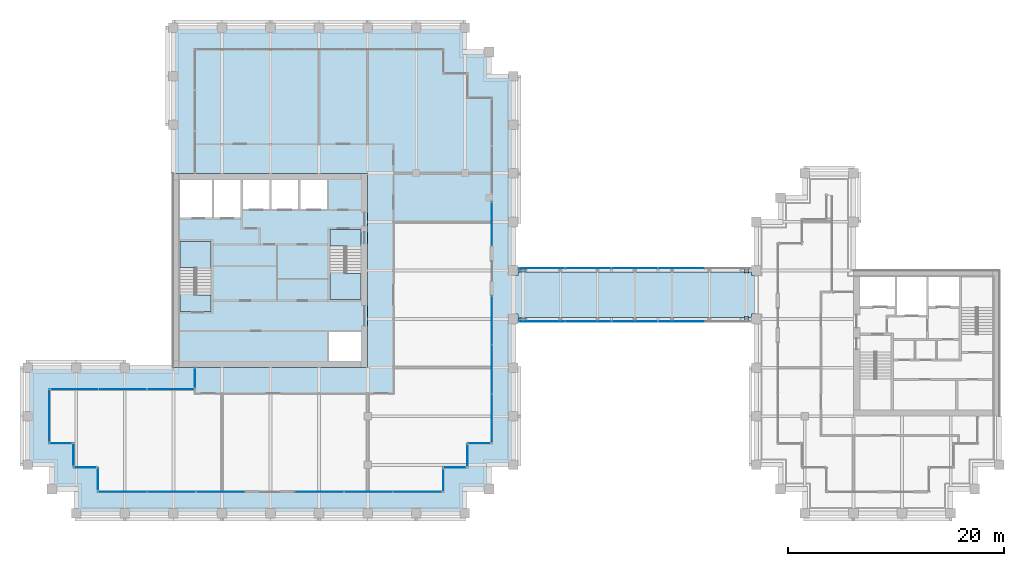
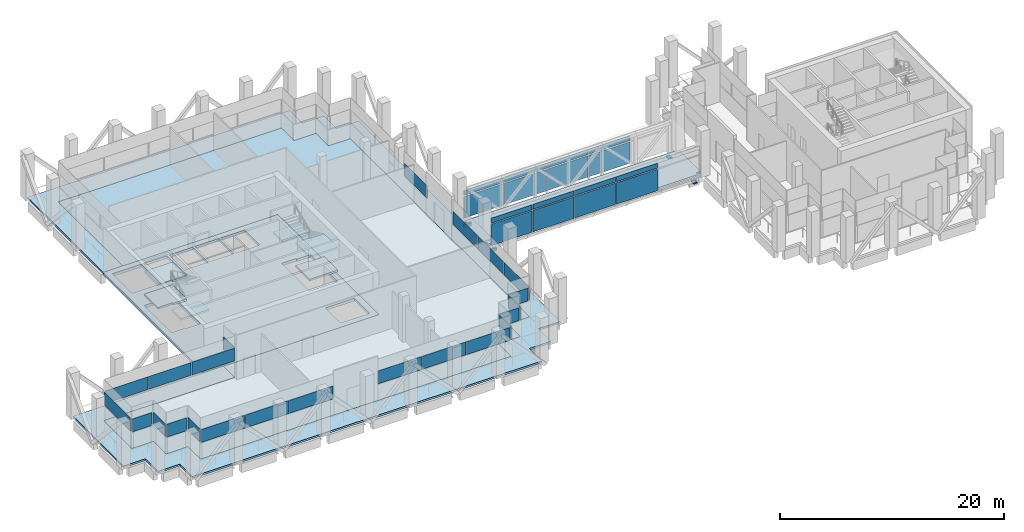
# One storey, part 26 of 34: 39 plates, 10 slabs, 2 beams, 2 members, 19 elements without a shape of their own.
"""IFC4 building model written with IfcOpenShell, lengths in metres."""

from ifc_helpers import new_model, si_unit, direction, frame, origin, origin_2d, place, context, subcontext, project, spatial, polyline, rectangle, hollow_rectangle, outline, extrude, material, layer, layer_set, material_profile, profile_set, type_object, element, aggregate, save


model = new_model("IFC4")

# Units and contexts
model_context = context("Model", 3, precision=1e-05, world=origin(), true_north=direction((0.0, 1.0)))
body_context = subcontext(model_context, "Body", "Model", "MODEL_VIEW")
ifc_project = project(units=[si_unit("LENGTHUNIT", "METRE"), si_unit("AREAUNIT", "SQUARE_METRE"), si_unit("VOLUMEUNIT", "CUBIC_METRE"), si_unit("PLANEANGLEUNIT", "RADIAN"), si_unit("MASSUNIT", "GRAM", prefix="KILO")], contexts=[model_context])

# Site, building, storey
site_placement = place(None, origin())
site = spatial("IfcSite", under=ifc_project, at=site_placement, CompositionType="ELEMENT")
building_placement = place(site_placement, origin())
building = spatial("IfcBuilding", under=site, at=building_placement, Name="Altepetl Exchange Towers", CompositionType="ELEMENT")
storey_placement = place(building_placement, frame((0.0, 0.0, 190.60009765625)))
storey = spatial("IfcBuildingStorey", under=building, at=storey_placement, Name="L48 Refuge", CompositionType="ELEMENT", Elevation=190.60009765625)

# Beams
ifc_material_1 = material(Name="Steel S355", Category="steel")
ifc_material_profile_1 = material_profile(ifc_material_1, hollow_rectangle(XDim=0.202880859375, YDim=0.304931640625, WallThickness=0.01171875, at=origin_2d()), Name="HSS305X203X12.7")
ifc_profile_set_1 = profile_set([ifc_material_profile_1], Name="Steel S355")
beam_type = type_object("IfcBeamType", Name="Bridge deck beam HSS305X203X12.7", PredefinedType="BEAM", material=ifc_profile_set_1)
for number, where, z_axis, x_axis, name in (
    (1, (72.449951171875, 45.0, -0.65771484375), (1.0, 0.0, 0.0), (0.0, 1.0, 0.0), "bm:X:L48:corbel-as"),
    (2, (72.449951171875, 49.5, -0.65771484375), (1.0, 0.0, 0.0), (0.0, 1.0, 0.0), "bm:X:L48:corbel-an"),
):
    element("IfcBeam", number, at=place(storey_placement, frame(where, z_axis=z_axis, x_axis=x_axis)), inside=storey, type_object=beam_type, Name=name, PredefinedType="BEAM", context=body_context, shape_type="SweptSolid", body=[
        extrude(hollow_rectangle(XDim=0.202880859375, YDim=0.304931640625, WallThickness=0.01171875, at=origin_2d()), origin(), (0.0, 0.0, 1.0), 0.75),
    ])

# Members
ifc_material_2 = material(Name="Steel S460", Category="steel")
ifc_material_profile_2 = material_profile(ifc_material_2, rectangle(XDim=0.5, YDim=0.1201171875, at=origin_2d()), Name="500 x 120")
ifc_profile_set_2 = profile_set([ifc_material_profile_2], Name="Steel S460")
member_type = type_object("IfcMemberType", Name="Sliding bearing 500x120", PredefinedType="USERDEFINED", material=ifc_profile_set_2)
for number, where, z_axis, x_axis, name in (
    (3, (93.39990234375, 45.0, -0.565185546875), (1.0, 0.0, 0.0), (0.0, 1.0, 0.0), "Sliding bearing BR3S"),
    (4, (93.39990234375, 49.5, -0.565185546875), (1.0, 0.0, 0.0), (0.0, 1.0, 0.0), "Sliding bearing BR3N"),
):
    element("IfcMember", number, at=place(storey_placement, frame(where, z_axis=z_axis, x_axis=x_axis)), inside=storey, type_object=member_type, Name=name, ObjectType="BEARING", PredefinedType="USERDEFINED", context=body_context, shape_type="SweptSolid", body=[
        extrude(rectangle(XDim=0.5, YDim=0.1201171875, at=origin_2d()), origin(), (0.0, 0.0, 1.0), 0.400146484375),
    ])

# Slabs
ifc_material_3 = material(Name="Concrete C40/50", Category="concrete")
ifc_layer_1 = layer(ifc_material_3, 0.199951171875)
ifc_layer_set_1 = layer_set([ifc_layer_1], Name="Concrete C40/50")
slab_type_1 = type_object("IfcSlabType", Name="Bridge deck slab 200", PredefinedType="FLOOR", material=ifc_layer_set_1)
slab_1_placement = place(storey_placement, frame((0.0, 0.0, -0.2001953125)))
element("IfcSlab", 5, at=slab_1_placement, inside=storey, type_object=slab_type_1, Name="slab:X:L48:deck0", PredefinedType="FLOOR", context=body_context, shape_type="SweptSolid", body=[
    extrude(outline(polyline([(94.050048828125, 45.449951171875), (94.5, 45.449951171875), (94.5, 49.050048828125), (94.050048828125, 49.050048828125), (94.050048828125, 49.346923828125), (72.449951171875, 49.346923828125), (72.449951171875, 49.050048828125), (72.0, 49.050048828125), (72.0, 45.449951171875), (72.449951171875, 45.449951171875), (72.449951171875, 45.153076171875), (94.050048828125, 45.153076171875), (94.050048828125, 45.449951171875)])), origin(), (0.0, 0.0, 1.0), 0.2001953125),
])
ifc_layer_2 = layer(ifc_material_3, 0.199951171875)
ifc_layer_set_2 = layer_set([ifc_layer_2], Name="Concrete C40/50")
slab_type_2 = type_object("IfcSlabType", Name="Composite floor slab 200", PredefinedType="FLOOR", material=ifc_layer_set_2)
slab_2_placement = place(storey_placement, frame((0.0, 0.0, -0.2001953125)))
element("IfcSlab", 6, at=slab_2_placement, inside=storey, type_object=slab_type_2, Name="slab:A:L48:strip0", PredefinedType="FLOOR", context=body_context, shape_type="SweptSolid", body=[
    extrude(outline(polyline([(42.5, 70.0), (42.5, 58.5), (58.5, 58.5), (58.5, 40.5), (42.5, 40.5), (42.5, 38.5), (29.0, 38.5), (29.0, 33.5), (31.25, 33.5), (31.25, 31.25), (33.5, 31.25), (33.5, 29.0), (65.5, 29.0), (65.5, 31.25), (67.75, 31.25), (67.75, 33.5), (70.0, 33.5), (70.0, 65.5), (67.75, 65.5), (67.75, 67.75), (65.5, 67.75), (65.5, 70.0), (42.5, 70.0)])), origin(), (0.0, 0.0, 1.0), 0.2001953125),
])
ifc_layer_3 = layer(ifc_material_3, 0.300048828125)
ifc_layer_set_3 = layer_set([ifc_layer_3], Name="Concrete C40/50")
slab_type_3 = type_object("IfcSlabType", Name="Core floor slab 300", PredefinedType="FLOOR", material=ifc_layer_set_3)
slab_3_placement = place(storey_placement, frame((0.0, 0.0, -0.300048828125)))
element("IfcSlab", 7, at=slab_3_placement, inside=storey, type_object=slab_type_3, Name="slab:A:L48:core0", PredefinedType="FLOOR", context=body_context, shape_type="SweptSolid", body=[
    extrude(outline(polyline([(40.5, 40.5), (58.5, 40.5), (58.5, 58.5), (40.5, 58.5), (40.5, 40.5)]), holes=[polyline([(54.93310546875, 43.800048828125), (57.89990234375, 43.800048828125), (57.89990234375, 41.10009765625), (54.93310546875, 41.10009765625), (54.93310546875, 43.800048828125)]), polyline([(55.0, 51.7490234375), (56.5, 51.7490234375), (56.5, 51.64990234375), (57.89990234375, 51.64990234375), (57.89990234375, 46.800048828125), (55.0, 46.800048828125), (55.0, 51.7490234375)]), polyline([(44.0, 47.2509765625), (42.5, 47.2509765625), (42.5, 47.35009765625), (41.10009765625, 47.35009765625), (41.10009765625, 52.199951171875), (44.0, 52.199951171875), (44.0, 47.2509765625)]), polyline([(41.10009765625, 57.89990234375), (44.06689453125, 57.89990234375), (44.06689453125, 54.39990234375), (41.10009765625, 54.39990234375), (41.10009765625, 57.89990234375)]), polyline([(44.26708984375, 57.89990234375), (46.73291015625, 57.89990234375), (46.73291015625, 54.39990234375), (44.26708984375, 54.39990234375), (44.26708984375, 57.89990234375)]), polyline([(46.93310546875, 57.89990234375), (49.39990234375, 57.89990234375), (49.39990234375, 55.199951171875), (46.93310546875, 55.199951171875), (46.93310546875, 57.89990234375)]), polyline([(49.60009765625, 57.89990234375), (52.06689453125, 57.89990234375), (52.06689453125, 55.199951171875), (49.60009765625, 55.199951171875), (49.60009765625, 57.89990234375)]), polyline([(52.26708984375, 57.89990234375), (54.73291015625, 57.89990234375), (54.73291015625, 55.199951171875), (52.26708984375, 55.199951171875), (52.26708984375, 57.89990234375)])]), origin(), (0.0, 0.0, 1.0), 0.300048828125),
])

# Curtain wall, plates
ifc_material_4 = material(Name="Aluminium 6063-T6 glazing", Category="aluminium")
curtain_wall_type_1 = type_object("IfcCurtainWallType", Name="Bridge enclosure system", PredefinedType="NOTDEFINED", material=ifc_material_4)
curtain_wall_1_placement = place(storey_placement, origin())
curtain_wall_1 = element("IfcCurtainWall", 8, at=curtain_wall_1_placement, inside=storey, type_object=curtain_wall_type_1, Name="CW6 run", PredefinedType="NOTDEFINED")
ifc_material_5 = material(Name="Glass 6-16-6 low emissivity", Category="glass")
ifc_layer_4 = layer(ifc_material_5, 0.028076171875)
ifc_layer_set_4 = layer_set([ifc_layer_4], Name="Glass 6-16-6 low emissivity")
plate_type_1 = type_object("IfcPlateType", Name="Glass panel 28 double glazed", PredefinedType="CURTAIN_PANEL", material=ifc_layer_set_4)
plate_1_placement = place(storey_placement, frame((74.6650390625, 44.784912109375, 0.0)))
plate_1 = element("IfcPlate", 9, at=plate_1_placement, type_object=plate_type_1, Name="GP1 panel", PredefinedType="CURTAIN_PANEL", context=body_context, shape_type="SweptSolid", body=[
    extrude(rectangle(XDim=4.2099609375, YDim=0.028076171875, at=origin_2d()), origin(), (0.0, 0.0, 1.0), 2.340087890625),
])
plate_2_placement = place(storey_placement, frame((74.6650390625, 44.784912109375, 2.4599609375)))
plate_2 = element("IfcPlate", 10, at=plate_2_placement, type_object=plate_type_1, Name="GP1 panel", PredefinedType="CURTAIN_PANEL", context=body_context, shape_type="SweptSolid", body=[
    extrude(rectangle(XDim=4.2099609375, YDim=0.028076171875, at=origin_2d()), origin(), (0.0, 0.0, 1.0), 0.5400390625),
])
plate_3_placement = place(storey_placement, frame((78.949951171875, 44.784912109375, 0.0)))
plate_3 = element("IfcPlate", 11, at=plate_3_placement, type_object=plate_type_1, Name="GP1 panel", PredefinedType="CURTAIN_PANEL", context=body_context, shape_type="SweptSolid", body=[
    extrude(rectangle(XDim=4.239990234375, YDim=0.028076171875, at=origin_2d()), origin(), (0.0, 0.0, 1.0), 2.340087890625),
])
plate_4_placement = place(storey_placement, frame((78.949951171875, 44.784912109375, 2.4599609375)))
plate_4 = element("IfcPlate", 12, at=plate_4_placement, type_object=plate_type_1, Name="GP1 panel", PredefinedType="CURTAIN_PANEL", context=body_context, shape_type="SweptSolid", body=[
    extrude(rectangle(XDim=4.239990234375, YDim=0.028076171875, at=origin_2d()), origin(), (0.0, 0.0, 1.0), 0.5400390625),
])
plate_5_placement = place(storey_placement, frame((83.25, 44.784912109375, 0.0)))
plate_5 = element("IfcPlate", 13, at=plate_5_placement, type_object=plate_type_1, Name="GP1 panel", PredefinedType="CURTAIN_PANEL", context=body_context, shape_type="SweptSolid", body=[
    extrude(rectangle(XDim=4.239990234375, YDim=0.028076171875, at=origin_2d()), origin(), (0.0, 0.0, 1.0), 2.340087890625),
])
plate_6_placement = place(storey_placement, frame((83.25, 44.784912109375, 2.4599609375)))
plate_6 = element("IfcPlate", 14, at=plate_6_placement, type_object=plate_type_1, Name="GP1 panel", PredefinedType="CURTAIN_PANEL", context=body_context, shape_type="SweptSolid", body=[
    extrude(rectangle(XDim=4.239990234375, YDim=0.028076171875, at=origin_2d()), origin(), (0.0, 0.0, 1.0), 0.5400390625),
])
plate_7_placement = place(storey_placement, frame((87.550048828125, 44.784912109375, 0.0)))
plate_7 = element("IfcPlate", 15, at=plate_7_placement, type_object=plate_type_1, Name="GP1 panel", PredefinedType="CURTAIN_PANEL", context=body_context, shape_type="SweptSolid", body=[
    extrude(rectangle(XDim=4.239990234375, YDim=0.028076171875, at=origin_2d()), origin(), (0.0, 0.0, 1.0), 2.340087890625),
])
plate_8_placement = place(storey_placement, frame((87.550048828125, 44.784912109375, 2.4599609375)))
plate_8 = element("IfcPlate", 16, at=plate_8_placement, type_object=plate_type_1, Name="GP1 panel", PredefinedType="CURTAIN_PANEL", context=body_context, shape_type="SweptSolid", body=[
    extrude(rectangle(XDim=4.239990234375, YDim=0.028076171875, at=origin_2d()), origin(), (0.0, 0.0, 1.0), 0.5400390625),
])
aggregate(curtain_wall_1, [plate_1, plate_2, plate_3, plate_4, plate_5, plate_6, plate_7, plate_8])

curtain_wall_2_placement = place(storey_placement, origin())
curtain_wall_2 = element("IfcCurtainWall", 17, at=curtain_wall_2_placement, inside=storey, type_object=curtain_wall_type_1, Name="CW6 run", PredefinedType="NOTDEFINED")
plate_9_placement = place(storey_placement, frame((74.6650390625, 49.715087890625, 0.0)))
plate_9 = element("IfcPlate", 18, at=plate_9_placement, type_object=plate_type_1, Name="GP1 panel", PredefinedType="CURTAIN_PANEL", context=body_context, shape_type="SweptSolid", body=[
    extrude(rectangle(XDim=4.2099609375, YDim=0.028076171875, at=origin_2d()), origin(), (0.0, 0.0, 1.0), 2.340087890625),
])
plate_10_placement = place(storey_placement, frame((74.6650390625, 49.715087890625, 2.4599609375)))
plate_10 = element("IfcPlate", 19, at=plate_10_placement, type_object=plate_type_1, Name="GP1 panel", PredefinedType="CURTAIN_PANEL", context=body_context, shape_type="SweptSolid", body=[
    extrude(rectangle(XDim=4.2099609375, YDim=0.028076171875, at=origin_2d()), origin(), (0.0, 0.0, 1.0), 0.5400390625),
])
plate_11_placement = place(storey_placement, frame((78.949951171875, 49.715087890625, 0.0)))
plate_11 = element("IfcPlate", 20, at=plate_11_placement, type_object=plate_type_1, Name="GP1 panel", PredefinedType="CURTAIN_PANEL", context=body_context, shape_type="SweptSolid", body=[
    extrude(rectangle(XDim=4.239990234375, YDim=0.028076171875, at=origin_2d()), origin(), (0.0, 0.0, 1.0), 2.340087890625),
])
plate_12_placement = place(storey_placement, frame((78.949951171875, 49.715087890625, 2.4599609375)))
plate_12 = element("IfcPlate", 21, at=plate_12_placement, type_object=plate_type_1, Name="GP1 panel", PredefinedType="CURTAIN_PANEL", context=body_context, shape_type="SweptSolid", body=[
    extrude(rectangle(XDim=4.239990234375, YDim=0.028076171875, at=origin_2d()), origin(), (0.0, 0.0, 1.0), 0.5400390625),
])
plate_13_placement = place(storey_placement, frame((83.25, 49.715087890625, 0.0)))
plate_13 = element("IfcPlate", 22, at=plate_13_placement, type_object=plate_type_1, Name="GP1 panel", PredefinedType="CURTAIN_PANEL", context=body_context, shape_type="SweptSolid", body=[
    extrude(rectangle(XDim=4.239990234375, YDim=0.028076171875, at=origin_2d()), origin(), (0.0, 0.0, 1.0), 2.340087890625),
])
plate_14_placement = place(storey_placement, frame((83.25, 49.715087890625, 2.4599609375)))
plate_14 = element("IfcPlate", 23, at=plate_14_placement, type_object=plate_type_1, Name="GP1 panel", PredefinedType="CURTAIN_PANEL", context=body_context, shape_type="SweptSolid", body=[
    extrude(rectangle(XDim=4.239990234375, YDim=0.028076171875, at=origin_2d()), origin(), (0.0, 0.0, 1.0), 0.5400390625),
])
plate_15_placement = place(storey_placement, frame((87.550048828125, 49.715087890625, 0.0)))
plate_15 = element("IfcPlate", 24, at=plate_15_placement, type_object=plate_type_1, Name="GP1 panel", PredefinedType="CURTAIN_PANEL", context=body_context, shape_type="SweptSolid", body=[
    extrude(rectangle(XDim=4.239990234375, YDim=0.028076171875, at=origin_2d()), origin(), (0.0, 0.0, 1.0), 2.340087890625),
])
plate_16_placement = place(storey_placement, frame((87.550048828125, 49.715087890625, 2.4599609375)))
plate_16 = element("IfcPlate", 25, at=plate_16_placement, type_object=plate_type_1, Name="GP1 panel", PredefinedType="CURTAIN_PANEL", context=body_context, shape_type="SweptSolid", body=[
    extrude(rectangle(XDim=4.239990234375, YDim=0.028076171875, at=origin_2d()), origin(), (0.0, 0.0, 1.0), 0.5400390625),
])
aggregate(curtain_wall_2, [plate_9, plate_10, plate_11, plate_12, plate_13, plate_14, plate_15, plate_16])

# Curtain wall, plate
curtain_wall_type_2 = type_object("IfcCurtainWallType", Name="Refuge slit glazing system", PredefinedType="NOTDEFINED", material=ifc_material_4)
curtain_wall_3_placement = place(storey_placement, origin())
curtain_wall_3 = element("IfcCurtainWall", 26, at=curtain_wall_3_placement, inside=storey, type_object=curtain_wall_type_2, Name="CW3 run", PredefinedType="NOTDEFINED")
ifc_material_6 = material(Name="Glass 8-20-8 solar control", Category="glass")
ifc_layer_5 = layer(ifc_material_6, 0.035888671875)
ifc_layer_set_5 = layer_set([ifc_layer_5], Name="Glass 8-20-8 solar control")
plate_type_2 = type_object("IfcPlateType", Name="Glass panel 36 double glazed", PredefinedType="CURTAIN_PANEL", material=ifc_layer_set_5)
plate_17_placement = place(storey_placement, frame((42.5, 39.550048828125, 1.800048828125), z_axis=(0.0, 0.0, 1.0), x_axis=(0.0, -1.0, 0.0)))
plate_17 = element("IfcPlate", 27, at=plate_17_placement, type_object=plate_type_2, Name="GP2 panel", PredefinedType="CURTAIN_PANEL", context=body_context, shape_type="SweptSolid", body=[
    extrude(rectangle(XDim=1.780029296875, YDim=0.035888671875, at=origin_2d()), origin(), (0.0, 0.0, 1.0), 1.39990234375),
])
aggregate(curtain_wall_3, [plate_17])

# Curtain wall, plates
curtain_wall_4_placement = place(storey_placement, origin())
curtain_wall_4 = element("IfcCurtainWall", 28, at=curtain_wall_4_placement, inside=storey, type_object=curtain_wall_type_2, Name="CW3 run", PredefinedType="NOTDEFINED")
plate_18_placement = place(storey_placement, frame((40.251708984375, 38.5, 1.800048828125), z_axis=(0.0, 0.0, 1.0), x_axis=(-1.0, 0.0, 0.0)))
plate_18 = element("IfcPlate", 29, at=plate_18_placement, type_object=plate_type_2, Name="GP2 panel", PredefinedType="CURTAIN_PANEL", context=body_context, shape_type="SweptSolid", body=[
    extrude(rectangle(XDim=4.376708984375, YDim=0.035888671875, at=origin_2d()), origin(), (0.0, 0.0, 1.0), 1.39990234375),
])
plate_19_placement = place(storey_placement, frame((35.800048828125, 38.5, 1.800048828125), z_axis=(0.0, 0.0, 1.0), x_axis=(-1.0, 0.0, 0.0)))
plate_19 = element("IfcPlate", 30, at=plate_19_placement, type_object=plate_type_2, Name="GP2 panel", PredefinedType="CURTAIN_PANEL", context=body_context, shape_type="SweptSolid", body=[
    extrude(rectangle(XDim=4.40673828125, YDim=0.035888671875, at=origin_2d()), origin(), (0.0, 0.0, 1.0), 1.39990234375),
])
plate_20_placement = place(storey_placement, frame((31.348388671875, 38.5, 1.800048828125), z_axis=(0.0, 0.0, 1.0), x_axis=(-1.0, 0.0, 0.0)))
plate_20 = element("IfcPlate", 31, at=plate_20_placement, type_object=plate_type_2, Name="GP2 panel", PredefinedType="CURTAIN_PANEL", context=body_context, shape_type="SweptSolid", body=[
    extrude(rectangle(XDim=4.376708984375, YDim=0.035888671875, at=origin_2d()), origin(), (0.0, 0.0, 1.0), 1.39990234375),
])
aggregate(curtain_wall_4, [plate_18, plate_19, plate_20])

# Curtain wall, plate
curtain_wall_5_placement = place(storey_placement, origin())
curtain_wall_5 = element("IfcCurtainWall", 32, at=curtain_wall_5_placement, inside=storey, type_object=curtain_wall_type_2, Name="CW3 run", PredefinedType="NOTDEFINED")
plate_21_placement = place(storey_placement, frame((29.0, 36.050048828125, 1.800048828125), z_axis=(0.0, 0.0, 1.0), x_axis=(0.0, -1.0, 0.0)))
plate_21 = element("IfcPlate", 33, at=plate_21_placement, type_object=plate_type_2, Name="GP2 panel", PredefinedType="CURTAIN_PANEL", context=body_context, shape_type="SweptSolid", body=[
    extrude(rectangle(XDim=4.780029296875, YDim=0.035888671875, at=origin_2d()), origin(), (0.0, 0.0, 1.0), 1.39990234375),
])
aggregate(curtain_wall_5, [plate_21])

curtain_wall_6_placement = place(storey_placement, origin())
curtain_wall_6 = element("IfcCurtainWall", 34, at=curtain_wall_6_placement, inside=storey, type_object=curtain_wall_type_2, Name="CW3 run", PredefinedType="NOTDEFINED")
plate_22_placement = place(storey_placement, frame((30.074951171875, 33.5, 1.800048828125)))
plate_22 = element("IfcPlate", 35, at=plate_22_placement, type_object=plate_type_2, Name="GP2 panel", PredefinedType="CURTAIN_PANEL", context=body_context, shape_type="SweptSolid", body=[
    extrude(rectangle(XDim=2.030029296875, YDim=0.035888671875, at=origin_2d()), origin(), (0.0, 0.0, 1.0), 1.39990234375),
])
aggregate(curtain_wall_6, [plate_22])

curtain_wall_7_placement = place(storey_placement, origin())
curtain_wall_7 = element("IfcCurtainWall", 36, at=curtain_wall_7_placement, inside=storey, type_object=curtain_wall_type_2, Name="CW3 run", PredefinedType="NOTDEFINED")
plate_23_placement = place(storey_placement, frame((31.25, 32.425048828125, 1.800048828125), z_axis=(0.0, 0.0, 1.0), x_axis=(0.0, -1.0, 0.0)))
plate_23 = element("IfcPlate", 37, at=plate_23_placement, type_object=plate_type_2, Name="GP2 panel", PredefinedType="CURTAIN_PANEL", context=body_context, shape_type="SweptSolid", body=[
    extrude(rectangle(XDim=2.030029296875, YDim=0.035888671875, at=origin_2d()), origin(), (0.0, 0.0, 1.0), 1.39990234375),
])
aggregate(curtain_wall_7, [plate_23])

curtain_wall_8_placement = place(storey_placement, origin())
curtain_wall_8 = element("IfcCurtainWall", 38, at=curtain_wall_8_placement, inside=storey, type_object=curtain_wall_type_2, Name="CW3 run", PredefinedType="NOTDEFINED")
plate_24_placement = place(storey_placement, frame((32.324951171875, 31.25, 1.800048828125)))
plate_24 = element("IfcPlate", 39, at=plate_24_placement, type_object=plate_type_2, Name="GP2 panel", PredefinedType="CURTAIN_PANEL", context=body_context, shape_type="SweptSolid", body=[
    extrude(rectangle(XDim=2.030029296875, YDim=0.035888671875, at=origin_2d()), origin(), (0.0, 0.0, 1.0), 1.39990234375),
])
aggregate(curtain_wall_8, [plate_24])

curtain_wall_9_placement = place(storey_placement, origin())
curtain_wall_9 = element("IfcCurtainWall", 40, at=curtain_wall_9_placement, inside=storey, type_object=curtain_wall_type_2, Name="CW3 run", PredefinedType="NOTDEFINED")
plate_25_placement = place(storey_placement, frame((33.5, 30.175048828125, 1.800048828125), z_axis=(0.0, 0.0, 1.0), x_axis=(0.0, -1.0, 0.0)))
plate_25 = element("IfcPlate", 41, at=plate_25_placement, type_object=plate_type_2, Name="GP2 panel", PredefinedType="CURTAIN_PANEL", context=body_context, shape_type="SweptSolid", body=[
    extrude(rectangle(XDim=2.030029296875, YDim=0.035888671875, at=origin_2d()), origin(), (0.0, 0.0, 1.0), 1.39990234375),
])
aggregate(curtain_wall_9, [plate_25])

# Curtain wall, plates
curtain_wall_10_placement = place(storey_placement, origin())
curtain_wall_10 = element("IfcCurtainWall", 42, at=curtain_wall_10_placement, inside=storey, type_object=curtain_wall_type_2, Name="CW3 run", PredefinedType="NOTDEFINED")
plate_26_placement = place(storey_placement, frame((35.79345703125, 29.0, 1.800048828125)))
plate_26 = element("IfcPlate", 43, at=plate_26_placement, type_object=plate_type_2, Name="GP2 panel", PredefinedType="CURTAIN_PANEL", context=body_context, shape_type="SweptSolid", body=[
    extrude(rectangle(XDim=4.467041015625, YDim=0.035888671875, at=origin_2d()), origin(), (0.0, 0.0, 1.0), 1.39990234375),
])
plate_27_placement = place(storey_placement, frame((40.335693359375, 29.0, 1.800048828125)))
plate_27 = element("IfcPlate", 44, at=plate_27_placement, type_object=plate_type_2, Name="GP2 panel", PredefinedType="CURTAIN_PANEL", context=body_context, shape_type="SweptSolid", body=[
    extrude(rectangle(XDim=4.4970703125, YDim=0.035888671875, at=origin_2d()), origin(), (0.0, 0.0, 1.0), 1.39990234375),
])
plate_28_placement = place(storey_placement, frame((44.8779296875, 29.0, 1.800048828125)))
plate_28 = element("IfcPlate", 45, at=plate_28_placement, type_object=plate_type_2, Name="GP2 panel", PredefinedType="CURTAIN_PANEL", context=body_context, shape_type="SweptSolid", body=[
    extrude(rectangle(XDim=4.467041015625, YDim=0.035888671875, at=origin_2d()), origin(), (0.0, 0.0, 1.0), 1.39990234375),
])
aggregate(curtain_wall_10, [plate_26, plate_27, plate_28])

curtain_wall_11_placement = place(storey_placement, origin())
curtain_wall_11 = element("IfcCurtainWall", 46, at=curtain_wall_11_placement, inside=storey, type_object=curtain_wall_type_2, Name="CW3 run", PredefinedType="NOTDEFINED")
plate_29_placement = place(storey_placement, frame((54.022216796875, 29.0, 1.800048828125)))
plate_29 = element("IfcPlate", 47, at=plate_29_placement, type_object=plate_type_2, Name="GP2 panel", PredefinedType="CURTAIN_PANEL", context=body_context, shape_type="SweptSolid", body=[
    extrude(rectangle(XDim=4.467041015625, YDim=0.035888671875, at=origin_2d()), origin(), (0.0, 0.0, 1.0), 1.39990234375),
])
plate_30_placement = place(storey_placement, frame((58.564208984375, 29.0, 1.800048828125)))
plate_30 = element("IfcPlate", 48, at=plate_30_placement, type_object=plate_type_2, Name="GP2 panel", PredefinedType="CURTAIN_PANEL", context=body_context, shape_type="SweptSolid", body=[
    extrude(rectangle(XDim=4.4970703125, YDim=0.035888671875, at=origin_2d()), origin(), (0.0, 0.0, 1.0), 1.39990234375),
])
plate_31_placement = place(storey_placement, frame((63.1064453125, 29.0, 1.800048828125)))
plate_31 = element("IfcPlate", 49, at=plate_31_placement, type_object=plate_type_2, Name="GP2 panel", PredefinedType="CURTAIN_PANEL", context=body_context, shape_type="SweptSolid", body=[
    extrude(rectangle(XDim=4.467041015625, YDim=0.035888671875, at=origin_2d()), origin(), (0.0, 0.0, 1.0), 1.39990234375),
])
aggregate(curtain_wall_11, [plate_29, plate_30, plate_31])

# Curtain wall, plate
curtain_wall_12_placement = place(storey_placement, origin())
curtain_wall_12 = element("IfcCurtainWall", 50, at=curtain_wall_12_placement, inside=storey, type_object=curtain_wall_type_2, Name="CW3 run", PredefinedType="NOTDEFINED")
plate_32_placement = place(storey_placement, frame((65.5, 30.074951171875, 1.800048828125), z_axis=(0.0, 0.0, 1.0), x_axis=(0.0, 1.0, 0.0)))
plate_32 = element("IfcPlate", 51, at=plate_32_placement, type_object=plate_type_2, Name="GP2 panel", PredefinedType="CURTAIN_PANEL", context=body_context, shape_type="SweptSolid", body=[
    extrude(rectangle(XDim=2.030029296875, YDim=0.035888671875, at=origin_2d()), origin(), (0.0, 0.0, 1.0), 1.39990234375),
])
aggregate(curtain_wall_12, [plate_32])

curtain_wall_13_placement = place(storey_placement, origin())
curtain_wall_13 = element("IfcCurtainWall", 52, at=curtain_wall_13_placement, inside=storey, type_object=curtain_wall_type_2, Name="CW3 run", PredefinedType="NOTDEFINED")
plate_33_placement = place(storey_placement, frame((66.574951171875, 31.25, 1.800048828125)))
plate_33 = element("IfcPlate", 53, at=plate_33_placement, type_object=plate_type_2, Name="GP2 panel", PredefinedType="CURTAIN_PANEL", context=body_context, shape_type="SweptSolid", body=[
    extrude(rectangle(XDim=2.030029296875, YDim=0.035888671875, at=origin_2d()), origin(), (0.0, 0.0, 1.0), 1.39990234375),
])
aggregate(curtain_wall_13, [plate_33])

curtain_wall_14_placement = place(storey_placement, origin())
curtain_wall_14 = element("IfcCurtainWall", 54, at=curtain_wall_14_placement, inside=storey, type_object=curtain_wall_type_2, Name="CW3 run", PredefinedType="NOTDEFINED")
plate_34_placement = place(storey_placement, frame((67.75, 32.324951171875, 1.800048828125), z_axis=(0.0, 0.0, 1.0), x_axis=(0.0, 1.0, 0.0)))
plate_34 = element("IfcPlate", 55, at=plate_34_placement, type_object=plate_type_2, Name="GP2 panel", PredefinedType="CURTAIN_PANEL", context=body_context, shape_type="SweptSolid", body=[
    extrude(rectangle(XDim=2.030029296875, YDim=0.035888671875, at=origin_2d()), origin(), (0.0, 0.0, 1.0), 1.39990234375),
])
aggregate(curtain_wall_14, [plate_34])

curtain_wall_15_placement = place(storey_placement, origin())
curtain_wall_15 = element("IfcCurtainWall", 56, at=curtain_wall_15_placement, inside=storey, type_object=curtain_wall_type_2, Name="CW3 run", PredefinedType="NOTDEFINED")
plate_35_placement = place(storey_placement, frame((68.824951171875, 33.5, 1.800048828125)))
plate_35 = element("IfcPlate", 57, at=plate_35_placement, type_object=plate_type_2, Name="GP2 panel", PredefinedType="CURTAIN_PANEL", context=body_context, shape_type="SweptSolid", body=[
    extrude(rectangle(XDim=2.030029296875, YDim=0.035888671875, at=origin_2d()), origin(), (0.0, 0.0, 1.0), 1.39990234375),
])
aggregate(curtain_wall_15, [plate_35])

# Curtain wall, plates
curtain_wall_16_placement = place(storey_placement, origin())
curtain_wall_16 = element("IfcCurtainWall", 58, at=curtain_wall_16_placement, inside=storey, type_object=curtain_wall_type_2, Name="CW3 run", PredefinedType="NOTDEFINED")
plate_36_placement = place(storey_placement, frame((70.0, 35.79345703125, 1.800048828125), z_axis=(0.0, 0.0, 1.0), x_axis=(0.0, 1.0, 0.0)))
plate_36 = element("IfcPlate", 59, at=plate_36_placement, type_object=plate_type_2, Name="GP2 panel", PredefinedType="CURTAIN_PANEL", context=body_context, shape_type="SweptSolid", body=[
    extrude(rectangle(XDim=4.467041015625, YDim=0.035888671875, at=origin_2d()), origin(), (0.0, 0.0, 1.0), 1.39990234375),
])
plate_37_placement = place(storey_placement, frame((70.0, 40.335693359375, 1.800048828125), z_axis=(0.0, 0.0, 1.0), x_axis=(0.0, 1.0, 0.0)))
plate_37 = element("IfcPlate", 60, at=plate_37_placement, type_object=plate_type_2, Name="GP2 panel", PredefinedType="CURTAIN_PANEL", context=body_context, shape_type="SweptSolid", body=[
    extrude(rectangle(XDim=4.4970703125, YDim=0.035888671875, at=origin_2d()), origin(), (0.0, 0.0, 1.0), 1.39990234375),
])
plate_38_placement = place(storey_placement, frame((70.0, 44.8779296875, 1.800048828125), z_axis=(0.0, 0.0, 1.0), x_axis=(0.0, 1.0, 0.0)))
plate_38 = element("IfcPlate", 61, at=plate_38_placement, type_object=plate_type_2, Name="GP2 panel", PredefinedType="CURTAIN_PANEL", context=body_context, shape_type="SweptSolid", body=[
    extrude(rectangle(XDim=4.467041015625, YDim=0.035888671875, at=origin_2d()), origin(), (0.0, 0.0, 1.0), 1.39990234375),
])
aggregate(curtain_wall_16, [plate_36, plate_37, plate_38])

# Curtain wall, plate
curtain_wall_17_placement = place(storey_placement, origin())
curtain_wall_17 = element("IfcCurtainWall", 62, at=curtain_wall_17_placement, inside=storey, type_object=curtain_wall_type_2, Name="CW3 run", PredefinedType="NOTDEFINED")
plate_39_placement = place(storey_placement, frame((70.0, 53.80419921875, 1.800048828125), z_axis=(0.0, 0.0, 1.0), x_axis=(0.0, 1.0, 0.0)))
plate_39 = element("IfcPlate", 63, at=plate_39_placement, type_object=plate_type_2, Name="GP2 panel", PredefinedType="CURTAIN_PANEL", context=body_context, shape_type="SweptSolid", body=[
    extrude(rectangle(XDim=4.031494140625, YDim=0.035888671875, at=origin_2d()), origin(), (0.0, 0.0, 1.0), 1.39990234375),
])
aggregate(curtain_wall_17, [plate_39])

# Slab
ifc_layer_6 = layer(ifc_material_3, 0.199951171875)
ifc_layer_set_6 = layer_set([ifc_layer_6], Name="Concrete C40/50")
slab_type_4 = type_object("IfcSlabType", Name="Loggia slab 200", PredefinedType="FLOOR", material=ifc_layer_set_6)
slab_4_placement = place(storey_placement, frame((0.0, 0.0, -0.2001953125)))
element("IfcSlab", 64, at=slab_4_placement, inside=storey, type_object=slab_type_4, Name="slab:A:L48:loggia0", PredefinedType="FLOOR", context=body_context, shape_type="SweptSolid", body=[
    extrude(outline(polyline([(40.5, 72.0), (40.5, 58.5), (42.5, 58.5), (42.5, 70.0), (65.5, 70.0), (65.5, 67.75), (67.75, 67.75), (67.75, 65.5), (70.0, 65.5), (70.0, 33.5), (67.75, 33.5), (67.75, 31.25), (65.5, 31.25), (65.5, 29.0), (33.5, 29.0), (33.5, 31.25), (31.25, 31.25), (31.25, 33.5), (29.0, 33.5), (29.0, 38.5), (42.5, 38.5), (42.5, 40.5), (40.5, 40.5), (27.0, 40.5), (27.0, 31.5), (29.25, 31.5), (29.25, 29.25), (31.5, 29.25), (31.5, 27.0), (58.5, 27.0), (67.5, 27.0), (67.5, 29.25), (69.75, 29.25), (69.75, 31.5), (72.0, 31.5), (72.0, 58.5), (72.0, 67.5), (69.75, 67.5), (69.75, 69.75), (67.5, 69.75), (67.5, 72.0), (40.5, 72.0)])), origin(), (0.0, 0.0, 1.0), 0.2001953125),
])

# Stair, slabs
stair_type = type_object("IfcStairType", Name="Exit stair 1400 flights dogleg", PredefinedType="HALF_TURN_STAIR", material=ifc_material_3)
stair_1_placement = place(storey_placement, origin())
stair_1 = element("IfcStair", 65, at=stair_1_placement, inside=storey, type_object=stair_type, Name="Exit stair 1", PredefinedType="HALF_TURN_STAIR")
ifc_layer_7 = layer(ifc_material_3, 0.199951171875)
ifc_layer_set_7 = layer_set([ifc_layer_7], Name="Concrete C40/50")
slab_type_5 = type_object("IfcSlabType", Name="Stair landing 200 reinforced concrete", PredefinedType="LANDING", material=ifc_layer_set_7)
slab_5_placement = place(storey_placement, frame((0.0, 0.0, 1.0498046875)))
slab_5 = element("IfcSlab", 66, at=slab_5_placement, type_object=slab_type_5, Name="ST-A1e landing 1", PredefinedType="LANDING", context=body_context, shape_type="SweptSolid", body=[
    extrude(outline(polyline([(44.0, 49.669921875), (42.60009765625, 49.669921875), (42.60009765625, 49.77001953125), (42.5, 49.77001953125), (42.5, 49.769287109375), (41.10009765625, 49.769287109375), (41.10009765625, 49.77001953125), (41.10009765625, 52.199951171875), (44.0, 52.199951171875), (44.0, 49.77001953125), (44.0, 49.669921875)])), origin(), (0.0, 0.0, 1.0), 0.2001953125),
])
slab_6_placement = place(storey_placement, frame((0.0, 0.0, 2.2998046875)))
slab_6 = element("IfcSlab", 67, at=slab_6_placement, type_object=slab_type_5, Name="ST-A1e landing 2", PredefinedType="LANDING", context=body_context, shape_type="SweptSolid", body=[
    extrude(outline(polyline([(44.0, 45.699951171875), (41.10009765625, 45.699951171875), (41.10009765625, 47.25), (41.10009765625, 47.35009765625), (42.5, 47.35009765625), (42.5, 47.25), (42.60009765625, 47.25), (42.60009765625, 47.250732421875), (44.0, 47.250732421875), (44.0, 47.25), (44.0, 45.699951171875)])), origin(), (0.0, 0.0, 1.0), 0.2001953125),
])
slab_7_placement = place(storey_placement, frame((0.0, 0.0, 3.5498046875)))
slab_7 = element("IfcSlab", 68, at=slab_7_placement, type_object=slab_type_5, Name="ST-A1e landing 3", PredefinedType="LANDING", context=body_context, shape_type="SweptSolid", body=[
    extrude(outline(polyline([(44.0, 49.669921875), (42.60009765625, 49.669921875), (42.60009765625, 49.77001953125), (42.5, 49.77001953125), (42.5, 49.769287109375), (41.10009765625, 49.769287109375), (41.10009765625, 49.77001953125), (41.10009765625, 52.199951171875), (44.0, 52.199951171875), (44.0, 49.77001953125), (44.0, 49.669921875)])), origin(), (0.0, 0.0, 1.0), 0.2001953125),
])
aggregate(stair_1, [slab_5, slab_6, slab_7])

stair_2_placement = place(storey_placement, origin())
stair_2 = element("IfcStair", 69, at=stair_2_placement, inside=storey, type_object=stair_type, Name="Exit stair 2", PredefinedType="HALF_TURN_STAIR")
slab_8_placement = place(storey_placement, frame((0.0, 0.0, 1.0498046875)))
slab_8 = element("IfcSlab", 70, at=slab_8_placement, type_object=slab_type_5, Name="ST-A2e landing 1", PredefinedType="LANDING", context=body_context, shape_type="SweptSolid", body=[
    extrude(outline(polyline([(57.89990234375, 46.800048828125), (55.0, 46.800048828125), (55.0, 49.22998046875), (55.0, 49.330078125), (56.39990234375, 49.330078125), (56.39990234375, 49.22998046875), (56.5, 49.22998046875), (56.5, 49.230712890625), (57.89990234375, 49.230712890625), (57.89990234375, 49.22998046875), (57.89990234375, 46.800048828125)])), origin(), (0.0, 0.0, 1.0), 0.2001953125),
])
slab_9_placement = place(storey_placement, frame((0.0, 0.0, 2.2998046875)))
slab_9 = element("IfcSlab", 71, at=slab_9_placement, type_object=slab_type_5, Name="ST-A2e landing 2", PredefinedType="LANDING", context=body_context, shape_type="SweptSolid", body=[
    extrude(outline(polyline([(57.89990234375, 51.64990234375), (56.5, 51.64990234375), (56.5, 51.75), (56.39990234375, 51.75), (56.39990234375, 51.749267578125), (55.0, 51.749267578125), (55.0, 51.75), (55.0, 53.300048828125), (57.89990234375, 53.300048828125), (57.89990234375, 51.75), (57.89990234375, 51.64990234375)])), origin(), (0.0, 0.0, 1.0), 0.2001953125),
])
slab_10_placement = place(storey_placement, frame((0.0, 0.0, 3.5498046875)))
slab_10 = element("IfcSlab", 72, at=slab_10_placement, type_object=slab_type_5, Name="ST-A2e landing 3", PredefinedType="LANDING", context=body_context, shape_type="SweptSolid", body=[
    extrude(outline(polyline([(57.89990234375, 46.800048828125), (55.0, 46.800048828125), (55.0, 49.22998046875), (55.0, 49.330078125), (56.39990234375, 49.330078125), (56.39990234375, 49.22998046875), (56.5, 49.22998046875), (56.5, 49.230712890625), (57.89990234375, 49.230712890625), (57.89990234375, 49.22998046875), (57.89990234375, 46.800048828125)])), origin(), (0.0, 0.0, 1.0), 0.2001953125),
])
aggregate(stair_2, [slab_8, slab_9, slab_10])

save(model, "model.ifc")
